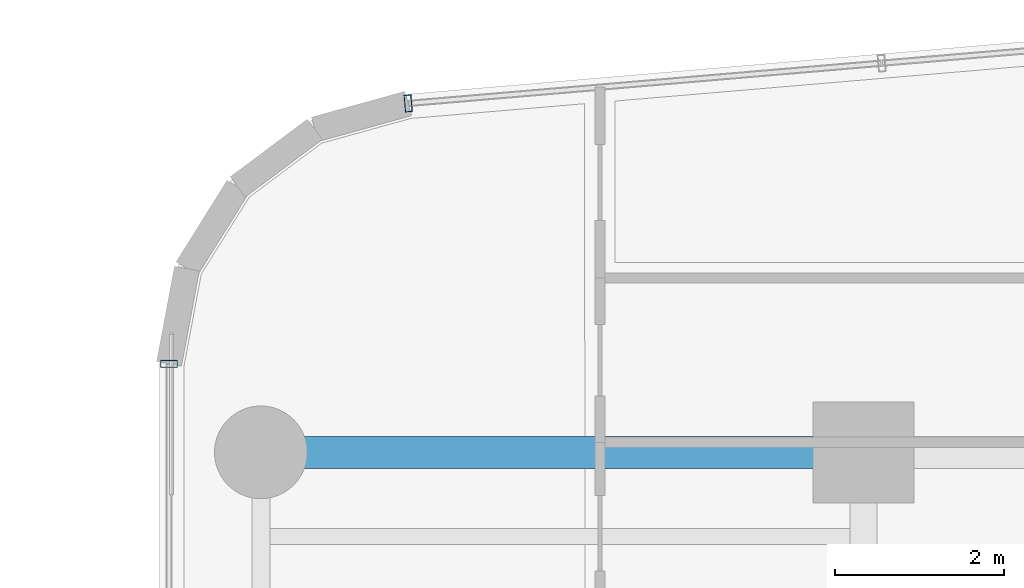
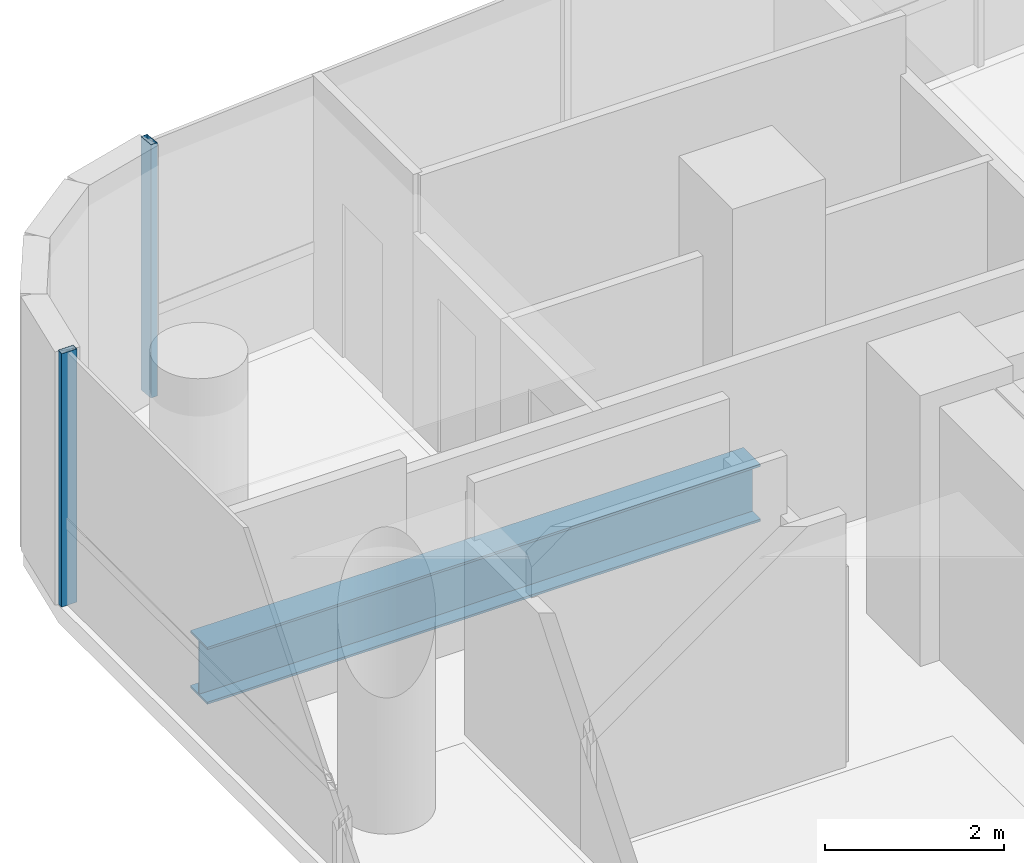
# One storey, part 20 of 37: 2 members, 1 beam, 2 elements without a shape of their own.
"""IFC4 building model written with IfcOpenShell, lengths in metres."""

from ifc_helpers import new_model, si_unit, direction, frame, origin, origin_2d, place, context, subcontext, project, spatial, hollow_rectangle, i_section, extrude, source, transform, mapped, material, material_profile, profile_set, type_object, element, aggregate, save


model = new_model("IFC4")

# Units and contexts
model_context = context("Model", 3, precision=1e-05, world=origin(), true_north=direction((0.0, 1.0)))
body_context = subcontext(model_context, "Body", "Model", "MODEL_VIEW")
ifc_project = project(units=[si_unit("LENGTHUNIT", "METRE"), si_unit("AREAUNIT", "SQUARE_METRE"), si_unit("VOLUMEUNIT", "CUBIC_METRE"), si_unit("PLANEANGLEUNIT", "RADIAN"), si_unit("MASSUNIT", "GRAM", prefix="KILO")], contexts=[model_context])

# Site, building, storey
site_placement = place(None, origin())
site = spatial("IfcSite", under=ifc_project, at=site_placement, CompositionType="ELEMENT")
building_placement = place(site_placement, origin())
building = spatial("IfcBuilding", under=site, at=building_placement, Name="Valdorenza Pilgrim Sanctuary Tower", CompositionType="ELEMENT")
storey_placement = place(building_placement, frame((0.0, 0.0, 127.89990234375)))
storey = spatial("IfcBuildingStorey", under=building, at=storey_placement, Name="L32", CompositionType="ELEMENT", Elevation=127.89990234375)

# Beam
ifc_material_1 = material(Name="Steel ASTM A992 Grade 50", Category="steel")
ifc_material_profile_1 = material_profile(ifc_material_1, i_section(OverallWidth=0.382080078125, OverallDepth=0.779052734375, WebThickness=0.01806640625, FlangeThickness=0.030029296875, at=origin_2d()), Name="W30X191")
ifc_profile_set_1 = profile_set([ifc_material_profile_1], Name="Steel ASTM A992 Grade 50")
beam_type = type_object("IfcBeamType", Name="STR-BM-GRD-W30", PredefinedType="BEAM", material=ifc_profile_set_1)
shared_shape_1 = source(origin(), body_context, "Body", "SweptSolid", [
    extrude(i_section(OverallWidth=0.382080078125, OverallDepth=0.779052734375, WebThickness=0.01806640625, FlangeThickness=0.030029296875, at=origin_2d()), origin(), (0.0, 0.0, 1.0), 7.150146484375),
])
beam_placement = place(storey_placement, frame((-29.800048828125, 14.800048828125, -0.62939453125), z_axis=(1.0, 0.0, 0.0), x_axis=(0.0, 1.0, 0.0)))
element("IfcBeam", 1, at=beam_placement, inside=storey, type_object=beam_type, Name="L32 Floor Girder WA-XW-N2", PredefinedType="BEAM", context=body_context, shape_type="MappedRepresentation", body=[
    mapped(shared_shape_1, transform((0.0, 0.0, 0.0), x_axis=(1.0, 0.0, 0.0), y_axis=(0.0, 1.0, 0.0), z_axis=(0.0, 0.0, 1.0), scale=1.0)),
])

# Curtain wall, member
ifc_material_2 = material(Name="Curtain-wall IGU glazing", Category="glass")
curtain_wall_type = type_object("IfcCurtainWallType", Name="CW-SYS-02", PredefinedType="NOTDEFINED", material=ifc_material_2)
curtain_wall_1_placement = place(storey_placement, origin())
curtain_wall_1 = element("IfcCurtainWall", 2, at=curtain_wall_1_placement, inside=storey, type_object=curtain_wall_type, Name="L32 Curtain Wall CW-L32-1-1S2", PredefinedType="NOTDEFINED")
ifc_material_3 = material(Name="Anodised aluminium AW-6060", Category="aluminium")
ifc_material_profile_2 = material_profile(ifc_material_3, hollow_rectangle(XDim=0.0849609375, YDim=0.199951171875, WallThickness=0.0048828125, at=origin_2d()), Name="ALU-M 200x85x5")
ifc_profile_set_2 = profile_set([ifc_material_profile_2], Name="Anodised aluminium AW-6060")
member_type = type_object("IfcMemberType", Name="CW-MUL-02", PredefinedType="MULLION", material=ifc_profile_set_2)
shared_shape_2 = source(origin(), body_context, "Body", "SweptSolid", [
    extrude(hollow_rectangle(XDim=0.0849609375, YDim=0.199951171875, WallThickness=0.0048828125, at=origin_2d()), origin(), (0.0, 0.0, 1.0), 3.460205078125),
])
member_1_placement = place(storey_placement, frame((-30.889892578125, 15.850341796875, 0.0), z_axis=(0.0, 0.0, 1.0), x_axis=(0.0, 1.0, 0.0)))
member_1 = element("IfcMember", 3, at=member_1_placement, type_object=member_type, Name="CW-L32-1-1S2 Mullion 4", PredefinedType="MULLION", context=body_context, shape_type="MappedRepresentation", body=[
    mapped(shared_shape_2, transform((0.0, 0.0, 0.0), x_axis=(1.0, 0.0, 0.0), y_axis=(0.0, 1.0, 0.0), z_axis=(0.0, 0.0, 1.0), scale=1.0)),
])
aggregate(curtain_wall_1, [member_1])

curtain_wall_2_placement = place(storey_placement, origin())
curtain_wall_2 = element("IfcCurtainWall", 4, at=curtain_wall_2_placement, inside=storey, type_object=curtain_wall_type, Name="L32 Curtain Wall CW-L32-1-6", PredefinedType="NOTDEFINED")
member_2_placement = place(storey_placement, frame((-28.051513671875, 18.940185546875, 0.0), z_axis=(0.0, 0.0, 1.0), x_axis=(0.99640764237, 0.084686541006, 0.0)))
member_2 = element("IfcMember", 5, at=member_2_placement, type_object=member_type, Name="CW-L32-1-6 Mullion 1", PredefinedType="MULLION", context=body_context, shape_type="MappedRepresentation", body=[
    mapped(shared_shape_2, transform((0.0, 0.0, 0.0), x_axis=(1.0, 0.0, 0.0), y_axis=(0.0, 1.0, 0.0), z_axis=(0.0, 0.0, 1.0), scale=1.0)),
])
aggregate(curtain_wall_2, [member_2])

save(model, "model.ifc")
